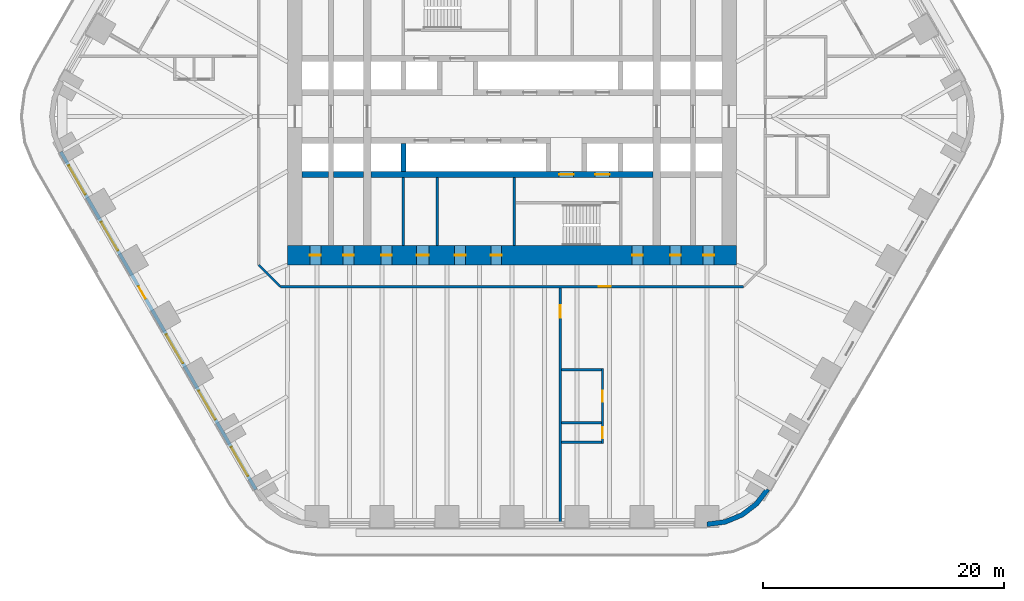
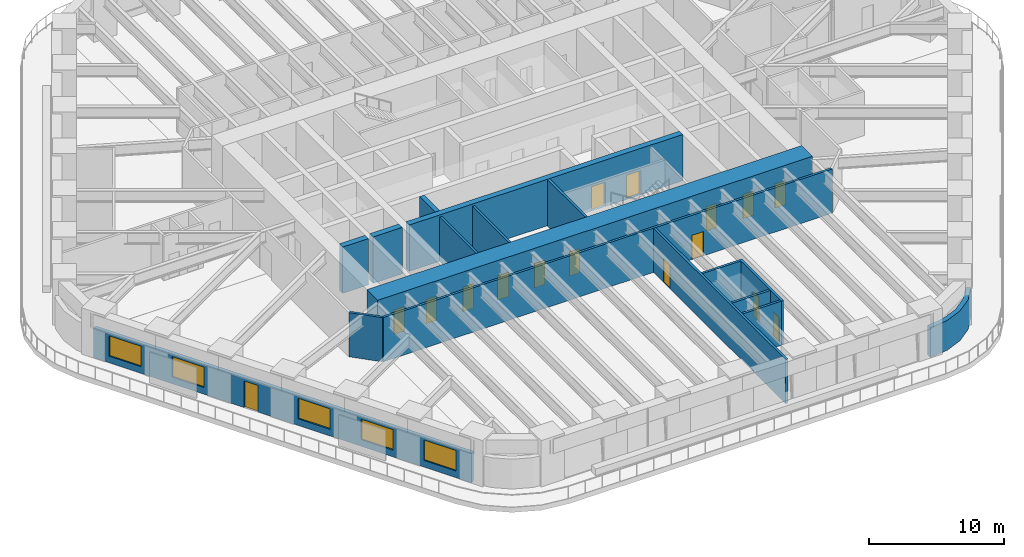
# One storey, part 16 of 23: 17 walls, 16 doors, 5 windows, 21 openings.
"""IFC4 building model written with IfcOpenShell, lengths in metres."""

import ifcopenshell
import ifcopenshell.guid

model = None  # the IFC model being written
_history = None  # IfcOwnerHistory: only IFC2X3 demands one
_inside = {}  # id of a spatial element -> (the spatial element, [elements in it])
_under = {}  # id of a project, library or spatial element -> (it, [spatial elements below it])
_declared = {}  # id of a project -> (the project, [libraries it declares])
_typed = {}  # id of a type object -> (the type object, [elements of that type])
_made_of = {}  # id of a material, layer set ... -> (it, [elements and type objects made of it])


def new_model(schema):
    """Start an empty IFC model of exactly this schema.

    Asked for "IFC4X3", IfcOpenShell would pick the latest addendum, in which some entities
    have other attributes; the version numbers below select the first issue.
    IFC2X3 requires an IfcOwnerHistory on every rooted entity: one is made here for all.
    """
    global model, _history
    if schema == "IFC4X3":
        model = ifcopenshell.file(schema_version=(4, 3, 0, 0))
    else:
        model = ifcopenshell.file(schema=schema)
    _inside.clear()
    _under.clear()
    _declared.clear()
    _typed.clear()
    _made_of.clear()
    _history = None
    if model.schema == "IFC2X3":
        org = make("IfcOrganization", Name="unknown")
        user = make(
            "IfcPersonAndOrganization",
            ThePerson=make("IfcPerson", FamilyName="unknown"),
            TheOrganization=org,
        )
        app = make(
            "IfcApplication",
            ApplicationDeveloper=org,
            Version="unknown",
            ApplicationFullName="unknown",
            ApplicationIdentifier="unknown",
        )
        _history = make(
            "IfcOwnerHistory",
            OwningUser=user,
            OwningApplication=app,
            ChangeAction="ADDED",
            CreationDate=0,
        )
    return model


def make(cls, **values):
    """One entity of the class cls with the attributes given. An attribute that is None is left unset."""
    return model.create_entity(
        cls, **{name: value for name, value in values.items() if value is not None}
    )


def rooted(cls, **values):
    """An entity with a GlobalId (a new one), such as an element, a storey or a relation."""
    return make(cls, GlobalId=ifcopenshell.guid.new(), OwnerHistory=_history, **values)


def si_unit(unit_type, name, prefix=None):
    """IfcSIUnit, for example si_unit("LENGTHUNIT", "METRE", prefix="MILLI")."""
    return make("IfcSIUnit", UnitType=unit_type, Prefix=prefix, Name=name)


def assignment(units):
    """IfcUnitAssignment: the units of a project."""
    return None if units is None else make("IfcUnitAssignment", Units=units)


def point(xyz):
    """IfcCartesianPoint."""
    return None if xyz is None else make("IfcCartesianPoint", Coordinates=xyz)


def direction(xyz):
    """IfcDirection."""
    return None if xyz is None else make("IfcDirection", DirectionRatios=xyz)


def frame(location, z_axis=None, x_axis=None):
    """IfcAxis2Placement3D, a coordinate frame: its origin and axes. An axis left out is left unset."""
    return make(
        "IfcAxis2Placement3D",
        Location=point(location),
        Axis=direction(z_axis),
        RefDirection=direction(x_axis),
    )


def frame_2d(location, x_axis=None):
    """IfcAxis2Placement2D, a coordinate frame in the plane: its origin and x axis."""
    return make(
        "IfcAxis2Placement2D", Location=point(location), RefDirection=direction(x_axis)
    )


def origin():
    """The frame at (0, 0, 0) with its axes left unset."""
    return frame((0.0, 0.0, 0.0))


def place(relative_to, where):
    """IfcLocalPlacement: puts the frame where relative to a parent placement (None: the world)."""
    return make(
        "IfcLocalPlacement", PlacementRelTo=relative_to, RelativePlacement=where
    )


def context(
    kind, dimensions, precision=None, world=None, true_north=None, identifier=None
):
    """IfcGeometricRepresentationContext, for example the 3D "Model" context."""
    return make(
        "IfcGeometricRepresentationContext",
        ContextIdentifier=identifier,
        ContextType=kind,
        CoordinateSpaceDimension=dimensions,
        Precision=precision,
        WorldCoordinateSystem=world,
        TrueNorth=true_north,
    )


def subcontext(parent, identifier, kind, view, scale=None):
    """IfcGeometricRepresentationSubContext, for example "Body" below "Model"."""
    return make(
        "IfcGeometricRepresentationSubContext",
        ContextIdentifier=identifier,
        ContextType=kind,
        ParentContext=parent,
        TargetScale=scale,
        TargetView=view,
    )


def project(units=None, contexts=None):
    """IfcProject with its units and contexts."""
    return rooted(
        "IfcProject",
        Name="project",
        RepresentationContexts=contexts,
        UnitsInContext=assignment(units),
    )


def spatial(cls, under=None, at=None, **own):
    """A site, building, storey or space (cls), placed at a placement, below another one or the project."""
    s = rooted(cls, ObjectPlacement=at, **own)
    if under is not None:
        _under.setdefault(under.id(), (under, []))[1].append(s)
    return s


def polyline(points):
    """IfcPolyline through the points."""
    return make("IfcPolyline", Points=[point(p) for p in points])


def profile(cls, at=None, kind="AREA", **sizes):
    """A parametric profile (cls). Its sizes go by their IFC names, for example OverallWidth=200.0."""
    return make(cls, ProfileType=kind, Position=at, **sizes)


def rectangle(**sizes):
    """IfcRectangleProfileDef."""
    return profile("IfcRectangleProfileDef", **sizes)


def outline(outer, holes=None, kind="AREA"):
    """IfcArbitraryClosedProfileDef: a profile drawn as a closed curve; with holes, ...WithVoids."""
    if holes is None:
        return make("IfcArbitraryClosedProfileDef", ProfileType=kind, OuterCurve=outer)
    return make(
        "IfcArbitraryProfileDefWithVoids",
        ProfileType=kind,
        OuterCurve=outer,
        InnerCurves=holes,
    )


def extrude(swept, where, along, depth):
    """IfcExtrudedAreaSolid: the profile swept, set in the frame where, extruded along a direction by depth."""
    return make(
        "IfcExtrudedAreaSolid",
        SweptArea=swept,
        Position=where,
        ExtrudedDirection=direction(along),
        Depth=depth,
    )


def shape(context_of_items, identifier, shape_type, items):
    """IfcShapeRepresentation: the items that make up one representation, for example the "Body"."""
    return make(
        "IfcShapeRepresentation",
        ContextOfItems=context_of_items,
        RepresentationIdentifier=identifier,
        RepresentationType=shape_type,
        Items=items,
    )


def material(Name=None, Category=None):
    """IfcMaterial."""
    return make("IfcMaterial", Name=Name, Category=Category)


def layer(
    of_material, thickness, ventilated=None, Name=None, Category=None, Priority=None
):
    """IfcMaterialLayer: one layer of a wall or slab, of a material (None: an air gap)."""
    return make(
        "IfcMaterialLayer",
        Material=of_material,
        LayerThickness=thickness,
        IsVentilated=ventilated,
        Name=Name,
        Category=Category,
        Priority=Priority,
    )


def layer_set(layers, Name=None):
    """IfcMaterialLayerSet."""
    return make("IfcMaterialLayerSet", MaterialLayers=layers, LayerSetName=Name)


def made_of(thing, what):
    """Note that an element or type object is made of a material, layer set ...; save() writes the relation."""
    if what is not None:
        _made_of.setdefault(what.id(), (what, []))[1].append(thing)
    return thing


def type_object(cls, material=None, **own):
    """A type object (cls), such as IfcWallType, which elements share."""
    return made_of(rooted(cls, **own), material)


def element(
    cls,
    number,
    at=None,
    inside=None,
    cuts=None,
    type_object=None,
    material=None,
    context=None,
    identifier="Body",
    shape_type=None,
    held_by="IfcProductDefinitionShape",
    body=None,
    shapes=None,
    **own,
):
    """One element of the class cls, such as IfcWall. Its Tag is "e" and its number.

    at: its placement. inside: the storey or other place that contains it. cuts: it is an
    opening in that element (IfcRelVoidsElement). A single representation is given by context,
    identifier, shape_type and body (its items); several are given by shapes. held_by: the class
    of the entity that holds the representations. save() writes the other relations.
    """
    e = rooted(cls, Tag="e%d" % number, ObjectPlacement=at, **own)
    if body is not None:
        shapes = [shape(context, identifier, shape_type, body)]
    if shapes is not None:
        e.Representation = make(held_by, Representations=shapes)
    if inside is not None:
        _inside.setdefault(inside.id(), (inside, []))[1].append(e)
    if cuts is not None:
        rooted(
            "IfcRelVoidsElement", RelatingBuildingElement=cuts, RelatedOpeningElement=e
        )
    if type_object is not None:
        _typed.setdefault(type_object.id(), (type_object, []))[1].append(e)
    return made_of(e, material)


def fill(opening, filler):
    """IfcRelFillsElement: the door or window that sits in an opening."""
    return rooted(
        "IfcRelFillsElement",
        RelatingOpeningElement=opening,
        RelatedBuildingElement=filler,
    )


def aggregate(whole, parts):
    """IfcRelAggregates: a whole, such as a stair, and the parts it consists of."""
    return rooted("IfcRelAggregates", RelatingObject=whole, RelatedObjects=parts)


def save(model, path):
    """Write the relations noted so far, then the file.

    IfcRelAggregates (storeys below a building ...), IfcRelContainedInSpatialStructure (elements
    in a storey), IfcRelDefinesByType, IfcRelAssociatesMaterial and IfcRelDeclares: one each for
    every whole, place, type object, material and project.
    """
    for whole, parts in _under.values():
        aggregate(whole, parts)
    for where, things in _inside.values():
        rooted(
            "IfcRelContainedInSpatialStructure",
            RelatedElements=things,
            RelatingStructure=where,
        )
    for kind, things in _typed.values():
        rooted("IfcRelDefinesByType", RelatedObjects=things, RelatingType=kind)
    for what, things in _made_of.values():
        rooted("IfcRelAssociatesMaterial", RelatedObjects=things, RelatingMaterial=what)
    for by, libraries in _declared.values():
        rooted("IfcRelDeclares", RelatingContext=by, RelatedDefinitions=libraries)
    model.write(path)


model = new_model("IFC4")

# Units and contexts
model_context = context("Model", 3, precision=1e-05, world=origin(), true_north=direction((0.0, 1.0)))
body_context = subcontext(model_context, "Body", "Model", "MODEL_VIEW")
ifc_project = project(units=[si_unit("LENGTHUNIT", "METRE"), si_unit("AREAUNIT", "SQUARE_METRE"), si_unit("VOLUMEUNIT", "CUBIC_METRE"), si_unit("PLANEANGLEUNIT", "RADIAN"), si_unit("MASSUNIT", "GRAM", prefix="KILO")], contexts=[model_context])

# Site, building, storey
site_placement = place(None, origin())
site = spatial("IfcSite", under=ifc_project, at=site_placement, CompositionType="ELEMENT")
building_placement = place(site_placement, origin())
building = spatial("IfcBuilding", under=site, at=building_placement, Name="Tarfa Lantern Tower", CompositionType="ELEMENT")
storey_placement = place(building_placement, frame((0.0, 0.0, 48.699951171875)))
storey = spatial("IfcBuildingStorey", under=building, at=storey_placement, Name="L10", CompositionType="ELEMENT", Elevation=48.699951171875)

# Wall, openings, door, windows
ifc_material_1 = material(Name="Limestone cladding on blockwork", Category="masonry")
ifc_layer_1 = layer(ifc_material_1, 0.300048828125)
ifc_layer_set_1 = layer_set([ifc_layer_1], Name="EW1 STONE-CLAD WALL 300")
wall_type_1 = type_object("IfcWallType", Name="EW1 STONE-CLAD WALL 300", PredefinedType="SOLIDWALL", material=ifc_layer_set_1)
wall_1_placement = place(storey_placement, frame((-37.39794921875, -2.925048828125, 0.0), z_axis=(0.0, 0.0, 1.0), x_axis=(0.499999163675, -0.866025886636, 0.0)))
wall_1 = element("IfcWall", 1, at=wall_1_placement, inside=storey, type_object=wall_type_1, Name="Stone wall SW", PredefinedType="SOLIDWALL", context=body_context, shape_type="SweptSolid", body=[
    extrude(rectangle(XDim=32.33154296875, YDim=0.300048828125, at=frame_2d((16.165771484375, 0.0))), origin(), (0.0, 0.0, 1.0), 2.699951171875),
])
opening_1_placement = place(wall_1_placement, frame((1.3193359375, 0.0, 0.60009765625)))
opening_1 = element("IfcOpeningElement", 2, at=opening_1_placement, cuts=wall_1, Name="Opening W2", PredefinedType="OPENING", context=body_context, shape_type="SweptSolid", body=[
    extrude(rectangle(XDim=2.75, YDim=1.85009765625, at=frame_2d((1.375, 0.925048828125))), frame((0.0, 0.159912109375, 0.0), z_axis=(0.0, -1.0, 0.0), x_axis=(1.0, 0.0, 0.0)), (0.0, 0.0, 1.0), 0.320068359375),
])
opening_2_placement = place(wall_1_placement, frame((6.7080078125, 0.0, 0.60009765625)))
opening_2 = element("IfcOpeningElement", 3, at=opening_2_placement, cuts=wall_1, Name="Opening W2", PredefinedType="OPENING", context=body_context, shape_type="SweptSolid", body=[
    extrude(rectangle(XDim=2.75, YDim=1.85009765625, at=frame_2d((1.375, 0.925048828125))), frame((0.0, 0.159912109375, 0.0), z_axis=(0.0, -1.0, 0.0), x_axis=(1.0, 0.0, 0.0)), (0.0, 0.0, 1.0), 0.320068359375),
])
opening_3_placement = place(wall_1_placement, frame((12.87158203125, 0.0, 0.0)))
opening_3 = element("IfcOpeningElement", 4, at=opening_3_placement, cuts=wall_1, Name="Opening D51", PredefinedType="OPENING", context=body_context, shape_type="SweptSolid", body=[
    extrude(rectangle(XDim=1.199951171875, YDim=2.39990234375, at=frame_2d((0.60009765625, 1.199951171875))), frame((0.0, 0.159912109375, 0.0), z_axis=(0.0, -1.0, 0.0), x_axis=(1.0, 0.0, 0.0)), (0.0, 0.0, 1.0), 0.320068359375),
])
opening_4_placement = place(wall_1_placement, frame((17.485107421875, 0.0, 0.60009765625)))
opening_4 = element("IfcOpeningElement", 5, at=opening_4_placement, cuts=wall_1, Name="Opening W2", PredefinedType="OPENING", context=body_context, shape_type="SweptSolid", body=[
    extrude(rectangle(XDim=2.75, YDim=1.85009765625, at=frame_2d((1.375, 0.925048828125))), frame((0.0, 0.159912109375, 0.0), z_axis=(0.0, -1.0, 0.0), x_axis=(1.0, 0.0, 0.0)), (0.0, 0.0, 1.0), 0.320068359375),
])
opening_5_placement = place(wall_1_placement, frame((22.873779296875, 0.0, 0.60009765625)))
opening_5 = element("IfcOpeningElement", 6, at=opening_5_placement, cuts=wall_1, Name="Opening W2", PredefinedType="OPENING", context=body_context, shape_type="SweptSolid", body=[
    extrude(rectangle(XDim=2.75, YDim=1.85009765625, at=frame_2d((1.375, 0.925048828125))), frame((0.0, 0.159912109375, 0.0), z_axis=(0.0, -1.0, 0.0), x_axis=(1.0, 0.0, 0.0)), (0.0, 0.0, 1.0), 0.320068359375),
])
opening_6_placement = place(wall_1_placement, frame((28.26220703125, 0.0, 0.60009765625)))
opening_6 = element("IfcOpeningElement", 7, at=opening_6_placement, cuts=wall_1, Name="Opening W2", PredefinedType="OPENING", context=body_context, shape_type="SweptSolid", body=[
    extrude(rectangle(XDim=2.75, YDim=1.85009765625, at=frame_2d((1.375, 0.925048828125))), frame((0.0, 0.159912109375, 0.0), z_axis=(0.0, -1.0, 0.0), x_axis=(1.0, 0.0, 0.0)), (0.0, 0.0, 1.0), 0.320068359375),
])
ifc_material_2 = material(Name="Aluminium framed glazed door", Category="aluminium")
door_type_1 = type_object("IfcDoorType", Name="BE3 BALCONY DOOR 1200x2400", OperationType="SINGLE_SWING_RIGHT", PredefinedType="DOOR", material=ifc_material_2)
door_1_placement = place(opening_3_placement, origin())
door_1 = element("IfcDoor", 8, at=door_1_placement, inside=storey, type_object=door_type_1, Name="Balcony door SW", OperationType="SINGLE_SWING_RIGHT", OverallHeight=2.39990234375, OverallWidth=1.199951171875, PredefinedType="DOOR", context=body_context, shape_type="SweptSolid", body=[
    extrude(rectangle(XDim=1.199951171875, YDim=2.39990234375, at=frame_2d((0.60009765625, 1.199951171875))), frame((0.0, 0.02490234375, 0.0), z_axis=(0.0, -1.0, 0.0), x_axis=(1.0, 0.0, 0.0)), (0.0, 0.0, 1.0), 0.050048828125),
])
fill(opening_3, door_1)
ifc_material_3 = material(Name="Aluminium frame, double glazed", Category="aluminium")
window_type = type_object("IfcWindowType", Name="W2 FULL-HEIGHT GLAZING 2750x1850", PartitioningType="SINGLE_PANEL", PredefinedType="WINDOW", material=ifc_material_3)
window_1_placement = place(opening_1_placement, origin())
window_1 = element("IfcWindow", 9, at=window_1_placement, inside=storey, type_object=window_type, Name="Window SW 1", OverallHeight=1.85009765625, OverallWidth=2.75, PartitioningType="SINGLE_PANEL", PredefinedType="WINDOW", context=body_context, shape_type="SweptSolid", body=[
    extrude(rectangle(XDim=2.75, YDim=1.85009765625, at=frame_2d((1.375, 0.925048828125))), frame((0.0, 0.030029296875, 0.0), z_axis=(0.0, -1.0, 0.0), x_axis=(1.0, 0.0, 0.0)), (0.0, 0.0, 1.0), 0.06005859375),
])
fill(opening_1, window_1)
window_2_placement = place(opening_2_placement, origin())
window_2 = element("IfcWindow", 10, at=window_2_placement, inside=storey, type_object=window_type, Name="Window SW 2", OverallHeight=1.85009765625, OverallWidth=2.75, PartitioningType="SINGLE_PANEL", PredefinedType="WINDOW", context=body_context, shape_type="SweptSolid", body=[
    extrude(rectangle(XDim=2.75, YDim=1.85009765625, at=frame_2d((1.375, 0.925048828125))), frame((0.0, 0.030029296875, 0.0), z_axis=(0.0, -1.0, 0.0), x_axis=(1.0, 0.0, 0.0)), (0.0, 0.0, 1.0), 0.06005859375),
])
fill(opening_2, window_2)
window_3_placement = place(opening_4_placement, origin())
window_3 = element("IfcWindow", 11, at=window_3_placement, inside=storey, type_object=window_type, Name="Window SW 4", OverallHeight=1.85009765625, OverallWidth=2.75, PartitioningType="SINGLE_PANEL", PredefinedType="WINDOW", context=body_context, shape_type="SweptSolid", body=[
    extrude(rectangle(XDim=2.75, YDim=1.85009765625, at=frame_2d((1.375, 0.925048828125))), frame((0.0, 0.030029296875, 0.0), z_axis=(0.0, -1.0, 0.0), x_axis=(1.0, 0.0, 0.0)), (0.0, 0.0, 1.0), 0.06005859375),
])
fill(opening_4, window_3)
window_4_placement = place(opening_5_placement, origin())
window_4 = element("IfcWindow", 12, at=window_4_placement, inside=storey, type_object=window_type, Name="Window SW 5", OverallHeight=1.85009765625, OverallWidth=2.75, PartitioningType="SINGLE_PANEL", PredefinedType="WINDOW", context=body_context, shape_type="SweptSolid", body=[
    extrude(rectangle(XDim=2.75, YDim=1.85009765625, at=frame_2d((1.375, 0.925048828125))), frame((0.0, 0.030029296875, 0.0), z_axis=(0.0, -1.0, 0.0), x_axis=(1.0, 0.0, 0.0)), (0.0, 0.0, 1.0), 0.06005859375),
])
fill(opening_5, window_4)
window_5_placement = place(opening_6_placement, origin())
window_5 = element("IfcWindow", 13, at=window_5_placement, inside=storey, type_object=window_type, Name="Window SW 6", OverallHeight=1.85009765625, OverallWidth=2.75, PartitioningType="SINGLE_PANEL", PredefinedType="WINDOW", context=body_context, shape_type="SweptSolid", body=[
    extrude(rectangle(XDim=2.75, YDim=1.85009765625, at=frame_2d((1.375, 0.925048828125))), frame((0.0, 0.030029296875, 0.0), z_axis=(0.0, -1.0, 0.0), x_axis=(1.0, 0.0, 0.0)), (0.0, 0.0, 1.0), 0.06005859375),
])
fill(opening_6, window_5)

# Walls
ifc_layer_2 = layer(ifc_material_1, 0.39990234375)
ifc_layer_set_2 = layer_set([ifc_layer_2], Name="EW2 CURVED STONE CORNER 400")
wall_type_2 = type_object("IfcWallType", Name="EW2 CURVED STONE CORNER 400", PredefinedType="SOLIDWALL", material=ifc_layer_set_2)
wall_2_placement = place(storey_placement, origin())
element("IfcWall", 14, at=wall_2_placement, inside=storey, type_object=wall_type_2, Name="Stone corner S-SE", PredefinedType="SOLIDWALL", context=body_context, shape_type="SweptSolid", body=[
    extrude(outline(polyline([(16.165771484375, -34.0), (17.71875, -33.795654296875), (19.165771484375, -33.196044921875), (20.408447265625, -32.24267578125), (21.362060546875, -31.0), (21.015625, -30.800048828125), (20.12548828125, -31.959716796875), (18.9658203125, -32.849853515625), (17.615234375, -33.4091796875), (16.165771484375, -33.60009765625), (16.165771484375, -34.0)])), origin(), (0.0, 0.0, 1.0), 2.699951171875),
])
ifc_material_4 = material(Name="Concrete blockwork", Category="masonry")
ifc_layer_3 = layer(ifc_material_4, 0.199951171875)
ifc_layer_set_3 = layer_set([ifc_layer_3], Name="IW1 BLOCKWORK PARTITION 200 EI 120")
wall_type_3 = type_object("IfcWallType", Name="IW1 BLOCKWORK PARTITION 200 EI 120", PredefinedType="PARTITIONING", material=ifc_layer_set_3)
for number, where, z_axis, x_axis, name in (
    (15, (-9.0, -5.050048828125, 0.0), (0.0, 0.0, 1.0), (0.0, -1.0, 0.0), "Core partition"),
    (16, (-6.199951171875, -5.050048828125, 0.0), (0.0, 0.0, 1.0), (0.0, -1.0, 0.0), "Core partition"),
):
    element("IfcWall", number, at=place(storey_placement, frame(where, z_axis=z_axis, x_axis=x_axis)), inside=storey, type_object=wall_type_3, Name=name, PredefinedType="PARTITIONING", context=body_context, shape_type="SweptSolid", body=[
        extrude(rectangle(XDim=5.64990234375, YDim=0.199951171875, at=frame_2d((2.824951171875, 0.0))), origin(), (0.0, 0.0, 1.0), 4.0),
    ])

# Wall, opening, door
ifc_material_5 = material(Name="Gypsum board on steel studs", Category="steel")
ifc_layer_4 = layer(ifc_material_5, 0.2099609375)
ifc_layer_set_4 = layer_set([ifc_layer_4], Name="IW2 ACOUSTIC PARTITION 200")
wall_type_4 = type_object("IfcWallType", Name="IW2 ACOUSTIC PARTITION 200", PredefinedType="PARTITIONING", material=ifc_layer_set_4)
wall_3_placement = place(storey_placement, frame((19.199951171875, -14.10009765625, 0.0), z_axis=(0.0, 0.0, 1.0), x_axis=(-1.0, 0.0, 0.0)))
wall_3 = element("IfcWall", 17, at=wall_3_placement, inside=storey, type_object=wall_type_4, Name="Partition", PredefinedType="PARTITIONING", context=body_context, shape_type="SweptSolid", body=[
    extrude(rectangle(XDim=38.39990234375, YDim=0.199951171875, at=frame_2d((19.199951171875, 0.0))), origin(), (0.0, 0.0, 1.0), 4.0),
])
opening_7_placement = place(wall_3_placement, frame((11.02001953125, 0.0, 0.0)))
opening_7 = element("IfcOpeningElement", 18, at=opening_7_placement, cuts=wall_3, Name="Opening D44", PredefinedType="OPENING", context=body_context, shape_type="SweptSolid", body=[
    extrude(rectangle(XDim=1.0, YDim=2.199951171875, at=frame_2d((0.5, 1.10009765625))), frame((0.0, 0.10986328125, 0.0), z_axis=(0.0, -1.0, 0.0), x_axis=(1.0, 0.0, 0.0)), (0.0, 0.0, 1.0), 0.219970703125),
])
ifc_material_6 = material(Name="Timber door", Category="wood")
door_type_2 = type_object("IfcDoorType", Name="DR1 ROOM DOOR 1000x2200", OperationType="SINGLE_SWING_LEFT", PredefinedType="DOOR", material=ifc_material_6)
door_2_placement = place(opening_7_placement, origin())
door_2 = element("IfcDoor", 19, at=door_2_placement, inside=storey, type_object=door_type_2, Name="Corridor door", OperationType="SINGLE_SWING_LEFT", OverallHeight=2.199951171875, OverallWidth=1.0, PredefinedType="DOOR", context=body_context, shape_type="SweptSolid", body=[
    extrude(rectangle(XDim=1.0, YDim=2.199951171875, at=frame_2d((0.5, 1.10009765625))), frame((0.0, 0.02490234375, 0.0), z_axis=(0.0, -1.0, 0.0), x_axis=(1.0, 0.0, 0.0)), (0.0, 0.0, 1.0), 0.050048828125),
])
fill(opening_7, door_2)

# Wall
wall_4_placement = place(storey_placement, frame((-19.199951171875, -14.10009765625, 0.0), z_axis=(0.0, 0.0, 1.0), x_axis=(-0.707106781187, 0.707106781187, 0.0)))
element("IfcWall", 20, at=wall_4_placement, inside=storey, type_object=wall_type_4, Name="Partition", PredefinedType="PARTITIONING", context=body_context, shape_type="SweptSolid", body=[
    extrude(rectangle(XDim=2.545654296875, YDim=0.199951171875, at=frame_2d((1.27294921875, 0.0))), origin(), (0.0, 0.0, 1.0), 4.0),
])

# Wall, opening, door
wall_5_placement = place(storey_placement, frame((4.0, -14.199951171875, 0.0), z_axis=(0.0, 0.0, 1.0), x_axis=(0.0, -1.0, 0.0)))
wall_5 = element("IfcWall", 21, at=wall_5_placement, inside=storey, type_object=wall_type_4, Name="Partition", PredefinedType="PARTITIONING", context=body_context, shape_type="SweptSolid", body=[
    extrude(rectangle(XDim=19.60009765625, YDim=0.199951171875, at=frame_2d((9.800048828125, 0.0))), origin(), (0.0, 0.0, 1.0), 4.0),
])
opening_8_placement = place(wall_5_placement, frame((1.4599609375, 0.0, 0.0)))
opening_8 = element("IfcOpeningElement", 22, at=opening_8_placement, cuts=wall_5, Name="Opening D47", PredefinedType="OPENING", context=body_context, shape_type="SweptSolid", body=[
    extrude(rectangle(XDim=1.0, YDim=2.199951171875, at=frame_2d((0.5, 1.10009765625))), frame((0.0, 0.10986328125, 0.0), z_axis=(0.0, -1.0, 0.0), x_axis=(1.0, 0.0, 0.0)), (0.0, 0.0, 1.0), 0.219970703125),
])
door_3_placement = place(opening_8_placement, origin())
door_3 = element("IfcDoor", 23, at=door_3_placement, inside=storey, type_object=door_type_2, Name="Zone door", OperationType="SINGLE_SWING_RIGHT", OverallHeight=2.199951171875, OverallWidth=1.0, PredefinedType="DOOR", context=body_context, shape_type="SweptSolid", body=[
    extrude(rectangle(XDim=1.0, YDim=2.199951171875, at=frame_2d((0.5, 1.10009765625))), frame((0.0, 0.02490234375, 0.0), z_axis=(0.0, -1.0, 0.0), x_axis=(1.0, 0.0, 0.0)), (0.0, 0.0, 1.0), 0.050048828125),
])
fill(opening_8, door_3)

# Wall, openings, doors
wall_6_placement = place(storey_placement, frame((7.5, -20.89990234375, 0.0), z_axis=(0.0, 0.0, 1.0), x_axis=(0.0, -1.0, 0.0)))
wall_6 = element("IfcWall", 24, at=wall_6_placement, inside=storey, type_object=wall_type_4, Name="Partition", PredefinedType="PARTITIONING", context=body_context, shape_type="SweptSolid", body=[
    extrude(rectangle(XDim=6.2001953125, YDim=0.199951171875, at=frame_2d((3.10009765625, 0.0))), origin(), (0.0, 0.0, 1.0), 4.0),
])
opening_9_placement = place(wall_6_placement, frame((1.85009765625, 0.0, 0.0)))
opening_9 = element("IfcOpeningElement", 25, at=opening_9_placement, cuts=wall_6, Name="Opening D39", PredefinedType="OPENING", context=body_context, shape_type="SweptSolid", body=[
    extrude(rectangle(XDim=0.89990234375, YDim=2.199951171875, at=frame_2d((0.449951171875, 1.10009765625))), frame((0.0, 0.10986328125, 0.0), z_axis=(0.0, -1.0, 0.0), x_axis=(1.0, 0.0, 0.0)), (0.0, 0.0, 1.0), 0.219970703125),
])
opening_10_placement = place(wall_6_placement, frame((4.85009765625, 0.0, 0.0)))
opening_10 = element("IfcOpeningElement", 26, at=opening_10_placement, cuts=wall_6, Name="Opening D40", PredefinedType="OPENING", context=body_context, shape_type="SweptSolid", body=[
    extrude(rectangle(XDim=0.89990234375, YDim=2.199951171875, at=frame_2d((0.449951171875, 1.10009765625))), frame((0.0, 0.10986328125, 0.0), z_axis=(0.0, -1.0, 0.0), x_axis=(1.0, 0.0, 0.0)), (0.0, 0.0, 1.0), 0.219970703125),
])
door_type_3 = type_object("IfcDoorType", Name="DR3 ROOM DOOR 900x2200", OperationType="SINGLE_SWING_LEFT", PredefinedType="DOOR", material=ifc_material_6)
door_4_placement = place(opening_9_placement, frame((0.89990234375, 0.0, 0.0), z_axis=(0.0, 0.0, 1.0), x_axis=(-1.0, 0.0, 0.0)))
door_4 = element("IfcDoor", 27, at=door_4_placement, inside=storey, type_object=door_type_3, Name="Meeting room door", OperationType="SINGLE_SWING_LEFT", OverallHeight=2.199951171875, OverallWidth=0.89990234375, PredefinedType="DOOR", context=body_context, shape_type="SweptSolid", body=[
    extrude(rectangle(XDim=0.89990234375, YDim=2.199951171875, at=frame_2d((0.449951171875, 1.10009765625))), frame((0.0, 0.02490234375, 0.0), z_axis=(0.0, -1.0, 0.0), x_axis=(1.0, 0.0, 0.0)), (0.0, 0.0, 1.0), 0.050048828125),
])
fill(opening_9, door_4)
door_5_placement = place(opening_10_placement, frame((0.89990234375, 0.0, 0.0), z_axis=(0.0, 0.0, 1.0), x_axis=(-1.0, 0.0, 0.0)))
door_5 = element("IfcDoor", 28, at=door_5_placement, inside=storey, type_object=door_type_3, Name="Phone booth door", OperationType="SINGLE_SWING_RIGHT", OverallHeight=2.199951171875, OverallWidth=0.89990234375, PredefinedType="DOOR", context=body_context, shape_type="SweptSolid", body=[
    extrude(rectangle(XDim=0.89990234375, YDim=2.199951171875, at=frame_2d((0.449951171875, 1.10009765625))), frame((0.0, 0.02490234375, 0.0), z_axis=(0.0, -1.0, 0.0), x_axis=(1.0, 0.0, 0.0)), (0.0, 0.0, 1.0), 0.050048828125),
])
fill(opening_10, door_5)

# Walls
for number, where, z_axis, x_axis, name in (
    (29, (4.10009765625, -21.0, 0.0), (0.0, 0.0, 1.0), (1.0, 0.0, 0.0), "Partition"),
    (30, (4.10009765625, -25.39990234375, 0.0), (0.0, 0.0, 1.0), (1.0, 0.0, 0.0), "Partition"),
    (31, (4.10009765625, -27.0, 0.0), (0.0, 0.0, 1.0), (1.0, 0.0, 0.0), "Partition"),
):
    element("IfcWall", number, at=place(storey_placement, frame(where, z_axis=z_axis, x_axis=x_axis)), inside=storey, type_object=wall_type_4, Name=name, PredefinedType="PARTITIONING", context=body_context, shape_type="SweptSolid", body=[
        extrude(rectangle(XDim=3.2998046875, YDim=0.199951171875, at=frame_2d((1.64990234375, 0.0))), origin(), (0.0, 0.0, 1.0), 4.0),
    ])
ifc_material_7 = material(Name="Concrete C80/95", Category="concrete")
ifc_layer_5 = layer(ifc_material_7, 0.199951171875)
ifc_layer_set_5 = layer_set([ifc_layer_5], Name="SW12 CORE WALL 200")
wall_type_5 = type_object("IfcWallType", Name="SW12 CORE WALL 200", PredefinedType="SHEAR", material=ifc_layer_set_5)
wall_7_placement = place(storey_placement, frame((0.199951171875, -5.050048828125, 0.0), z_axis=(0.0, 0.0, 1.0), x_axis=(0.0, -1.0, 0.0)))
element("IfcWall", 32, at=wall_7_placement, inside=storey, type_object=wall_type_5, Name="Core wall stair shaft S", PredefinedType="SHEAR", context=body_context, shape_type="SweptSolid", body=[
    extrude(rectangle(XDim=5.64990234375, YDim=0.199951171875, at=frame_2d((2.824951171875, 0.0))), origin(), (0.0, 0.0, 1.0), 4.199951171875),
])

# Wall, openings, doors
ifc_layer_6 = layer(ifc_material_7, 0.5)
ifc_layer_set_6 = layer_set([ifc_layer_6], Name="SW5 CORE WALL 500")
wall_type_6 = type_object("IfcWallType", Name="SW5 CORE WALL 500", PredefinedType="SHEAR", material=ifc_layer_set_6)
wall_8_placement = place(storey_placement, frame((11.699951171875, -4.800048828125, 0.0), z_axis=(0.0, 0.0, 1.0), x_axis=(-1.0, 0.0, 0.0)))
wall_8 = element("IfcWall", 33, at=wall_8_placement, inside=storey, type_object=wall_type_6, Name="Core wall rear S", PredefinedType="SHEAR", context=body_context, shape_type="SweptSolid", body=[
    extrude(rectangle(XDim=23.39990234375, YDim=0.5, at=frame_2d((11.699951171875, 0.0))), origin(), (0.0, 0.0, 1.0), 4.199951171875),
])
opening_11_placement = place(wall_8_placement, frame((6.60009765625, 0.0, 0.0)))
opening_11 = element("IfcOpeningElement", 34, at=opening_11_placement, cuts=wall_8, Name="Opening D14", PredefinedType="OPENING", context=body_context, shape_type="SweptSolid", body=[
    extrude(rectangle(XDim=1.199951171875, YDim=2.199951171875, at=frame_2d((0.60009765625, 1.10009765625))), frame((0.0, 0.260009765625, 0.0), z_axis=(0.0, -1.0, 0.0), x_axis=(1.0, 0.0, 0.0)), (0.0, 0.0, 1.0), 0.52001953125),
])
opening_12_placement = place(wall_8_placement, frame((3.60009765625, 0.0, 0.0)))
opening_12 = element("IfcOpeningElement", 35, at=opening_12_placement, cuts=wall_8, Name="Opening LD02", PredefinedType="OPENING", context=body_context, shape_type="SweptSolid", body=[
    extrude(rectangle(XDim=1.199951171875, YDim=2.199951171875, at=frame_2d((0.60009765625, 1.10009765625))), frame((0.0, 0.260009765625, 0.0), z_axis=(0.0, -1.0, 0.0), x_axis=(1.0, 0.0, 0.0)), (0.0, 0.0, 1.0), 0.52001953125),
])
ifc_material_8 = material(Name="Steel fire door", Category="steel")
door_type_4 = type_object("IfcDoorType", Name="DF1 FIREFIGHTING LOBBY DOOR 1200x2200", OperationType="SINGLE_SWING_LEFT", PredefinedType="DOOR", material=ifc_material_8)
door_6_placement = place(opening_11_placement, origin())
door_6 = element("IfcDoor", 36, at=door_6_placement, inside=storey, type_object=door_type_4, Name="Firefighting lobby door", OperationType="SINGLE_SWING_LEFT", OverallHeight=2.199951171875, OverallWidth=1.199951171875, PredefinedType="DOOR", context=body_context, shape_type="SweptSolid", body=[
    extrude(rectangle(XDim=1.199951171875, YDim=2.199951171875, at=frame_2d((0.60009765625, 1.10009765625))), frame((0.0, 0.02490234375, 0.0), z_axis=(0.0, -1.0, 0.0), x_axis=(1.0, 0.0, 0.0)), (0.0, 0.0, 1.0), 0.050048828125),
])
fill(opening_11, door_6)
ifc_material_9 = material(Name="Stainless steel lift door", Category="steel")
door_type_5 = type_object("IfcDoorType", Name="LD1 LIFT LANDING DOOR 1200x2200", OperationType="SLIDING_TO_LEFT", PredefinedType="DOOR", material=ifc_material_9)
door_7_placement = place(opening_12_placement, origin())
door_7 = element("IfcDoor", 37, at=door_7_placement, inside=storey, type_object=door_type_5, Name="Landing door FL2", OperationType="SLIDING_TO_LEFT", OverallHeight=2.199951171875, OverallWidth=1.199951171875, PredefinedType="DOOR", context=body_context, shape_type="SweptSolid", body=[
    extrude(rectangle(XDim=1.199951171875, YDim=2.199951171875, at=frame_2d((0.60009765625, 1.10009765625))), frame((0.0, 0.02490234375, 0.0), z_axis=(0.0, -1.0, 0.0), x_axis=(1.0, 0.0, 0.0)), (0.0, 0.0, 1.0), 0.050048828125),
])
fill(opening_12, door_7)

# Walls
wall_9_placement = place(storey_placement, frame((-12.300048828125, -4.800048828125, 0.0), z_axis=(0.0, 0.0, 1.0), x_axis=(-1.0, 0.0, 0.0)))
element("IfcWall", 38, at=wall_9_placement, inside=storey, type_object=wall_type_6, Name="Core wall rear S", PredefinedType="SHEAR", context=body_context, shape_type="SweptSolid", body=[
    extrude(rectangle(XDim=2.5, YDim=0.5, at=frame_2d((1.25, 0.0))), origin(), (0.0, 0.0, 1.0), 4.199951171875),
])
wall_10_placement = place(storey_placement, frame((-15.199951171875, -4.800048828125, 0.0), z_axis=(0.0, 0.0, 1.0), x_axis=(-1.0, 0.0, 0.0)))
element("IfcWall", 39, at=wall_10_placement, inside=storey, type_object=wall_type_6, Name="Core wall rear S", PredefinedType="SHEAR", context=body_context, shape_type="SweptSolid", body=[
    extrude(rectangle(XDim=2.199951171875, YDim=0.5, at=frame_2d((1.10009765625, 0.0))), origin(), (0.0, 0.0, 1.0), 4.199951171875),
])
ifc_layer_7 = layer(ifc_material_7, 0.39990234375)
ifc_layer_set_7 = layer_set([ifc_layer_7], Name="SW6 CORE WALL 400")
wall_type_7 = type_object("IfcWallType", Name="SW6 CORE WALL 400", PredefinedType="SHEAR", material=ifc_layer_set_7)
wall_11_placement = place(storey_placement, frame((-9.0, -2.25, 0.0), z_axis=(0.0, 0.0, 1.0), x_axis=(0.0, -1.0, 0.0)))
element("IfcWall", 40, at=wall_11_placement, inside=storey, type_object=wall_type_7, Name="Core wall divider S", PredefinedType="SHEAR", context=body_context, shape_type="SweptSolid", body=[
    extrude(rectangle(XDim=2.300048828125, YDim=0.39990234375, at=frame_2d((1.14990234375, 0.0))), origin(), (0.0, 0.0, 1.0), 4.199951171875),
])

# Wall, openings, doors
ifc_layer_8 = layer(ifc_material_7, 1.60009765625)
ifc_layer_set_8 = layer_set([ifc_layer_8], Name="SW7 CORE WALL 1600")
wall_type_8 = type_object("IfcWallType", Name="SW7 CORE WALL 1600", PredefinedType="SHEAR", material=ifc_layer_set_8)
wall_12_placement = place(storey_placement, frame((18.60009765625, -11.5, 0.0), z_axis=(0.0, 0.0, 1.0), x_axis=(-1.0, 0.0, 0.0)))
wall_12 = element("IfcWall", 41, at=wall_12_placement, inside=storey, type_object=wall_type_8, Name="Core wall S", PredefinedType="SHEAR", context=body_context, shape_type="SweptSolid", body=[
    extrude(rectangle(XDim=37.2001953125, YDim=1.60009765625, at=frame_2d((18.60009765625, 0.0))), origin(), (0.0, 0.0, 1.0), 4.199951171875),
])
opening_13_placement = place(wall_12_placement, frame((19.449951171875, 0.0, 0.0)))
opening_13 = element("IfcOpeningElement", 42, at=opening_13_placement, cuts=wall_12, Name="Opening D18", PredefinedType="OPENING", context=body_context, shape_type="SweptSolid", body=[
    extrude(rectangle(XDim=0.89990234375, YDim=2.199951171875, at=frame_2d((0.449951171875, 1.10009765625))), frame((0.0, 0.81005859375, 0.0), z_axis=(0.0, -1.0, 0.0), x_axis=(1.0, 0.0, 0.0)), (0.0, 0.0, 1.0), 1.6201171875),
])
opening_14_placement = place(wall_12_placement, frame((22.449951171875, 0.0, 0.0)))
opening_14 = element("IfcOpeningElement", 43, at=opening_14_placement, cuts=wall_12, Name="Opening D20", PredefinedType="OPENING", context=body_context, shape_type="SweptSolid", body=[
    extrude(rectangle(XDim=0.89990234375, YDim=2.199951171875, at=frame_2d((0.449951171875, 1.10009765625))), frame((0.0, 0.81005859375, 0.0), z_axis=(0.0, -1.0, 0.0), x_axis=(1.0, 0.0, 0.0)), (0.0, 0.0, 1.0), 1.6201171875),
])
opening_15_placement = place(wall_12_placement, frame((25.5, 0.0, 0.0)))
opening_15 = element("IfcOpeningElement", 44, at=opening_15_placement, cuts=wall_12, Name="Opening D22", PredefinedType="OPENING", context=body_context, shape_type="SweptSolid", body=[
    extrude(rectangle(XDim=1.0, YDim=2.199951171875, at=frame_2d((0.5, 1.10009765625))), frame((0.0, 0.81005859375, 0.0), z_axis=(0.0, -1.0, 0.0), x_axis=(1.0, 0.0, 0.0)), (0.0, 0.0, 1.0), 1.6201171875),
])
opening_16_placement = place(wall_12_placement, frame((1.85009765625, 0.0, 0.0)))
opening_16 = element("IfcOpeningElement", 45, at=opening_16_placement, cuts=wall_12, Name="Opening D12", PredefinedType="OPENING", context=body_context, shape_type="SweptSolid", body=[
    extrude(rectangle(XDim=0.89990234375, YDim=2.199951171875, at=frame_2d((0.449951171875, 1.10009765625))), frame((0.0, 0.81005859375, 0.0), z_axis=(0.0, -1.0, 0.0), x_axis=(1.0, 0.0, 0.0)), (0.0, 0.0, 1.0), 1.6201171875),
])
opening_17_placement = place(wall_12_placement, frame((4.60009765625, 0.0, 0.0)))
opening_17 = element("IfcOpeningElement", 46, at=opening_17_placement, cuts=wall_12, Name="Opening D08", PredefinedType="OPENING", context=body_context, shape_type="SweptSolid", body=[
    extrude(rectangle(XDim=0.89990234375, YDim=2.199951171875, at=frame_2d((0.449951171875, 1.10009765625))), frame((0.0, 0.81005859375, 0.0), z_axis=(0.0, -1.0, 0.0), x_axis=(1.0, 0.0, 0.0)), (0.0, 0.0, 1.0), 1.6201171875),
])
opening_18_placement = place(wall_12_placement, frame((7.75, 0.0, 0.0)))
opening_18 = element("IfcOpeningElement", 47, at=opening_18_placement, cuts=wall_12, Name="Opening D10", PredefinedType="OPENING", context=body_context, shape_type="SweptSolid", body=[
    extrude(rectangle(XDim=0.89990234375, YDim=2.199951171875, at=frame_2d((0.449951171875, 1.10009765625))), frame((0.0, 0.81005859375, 0.0), z_axis=(0.0, -1.0, 0.0), x_axis=(1.0, 0.0, 0.0)), (0.0, 0.0, 1.0), 1.6201171875),
])
opening_19_placement = place(wall_12_placement, frame((28.550048828125, 0.0, 0.0)))
opening_19 = element("IfcOpeningElement", 48, at=opening_19_placement, cuts=wall_12, Name="Opening D06", PredefinedType="OPENING", context=body_context, shape_type="SweptSolid", body=[
    extrude(rectangle(XDim=0.89990234375, YDim=2.199951171875, at=frame_2d((0.449951171875, 1.10009765625))), frame((0.0, 0.81005859375, 0.0), z_axis=(0.0, -1.0, 0.0), x_axis=(1.0, 0.0, 0.0)), (0.0, 0.0, 1.0), 1.6201171875),
])
opening_20_placement = place(wall_12_placement, frame((31.699951171875, 0.0, 0.0)))
opening_20 = element("IfcOpeningElement", 49, at=opening_20_placement, cuts=wall_12, Name="Opening D02", PredefinedType="OPENING", context=body_context, shape_type="SweptSolid", body=[
    extrude(rectangle(XDim=0.89990234375, YDim=2.199951171875, at=frame_2d((0.449951171875, 1.10009765625))), frame((0.0, 0.81005859375, 0.0), z_axis=(0.0, -1.0, 0.0), x_axis=(1.0, 0.0, 0.0)), (0.0, 0.0, 1.0), 1.6201171875),
])
opening_21_placement = place(wall_12_placement, frame((34.449951171875, 0.0, 0.0)))
opening_21 = element("IfcOpeningElement", 50, at=opening_21_placement, cuts=wall_12, Name="Opening D04", PredefinedType="OPENING", context=body_context, shape_type="SweptSolid", body=[
    extrude(rectangle(XDim=0.89990234375, YDim=2.199951171875, at=frame_2d((0.449951171875, 1.10009765625))), frame((0.0, 0.81005859375, 0.0), z_axis=(0.0, -1.0, 0.0), x_axis=(1.0, 0.0, 0.0)), (0.0, 0.0, 1.0), 1.6201171875),
])
door_type_6 = type_object("IfcDoorType", Name="DF3 CORE ROOM DOOR 900x2200", OperationType="SINGLE_SWING_LEFT", PredefinedType="DOOR", material=ifc_material_8)
door_8_placement = place(opening_13_placement, frame((0.89990234375, 0.0, 0.0), z_axis=(0.0, 0.0, 1.0), x_axis=(-1.0, 0.0, 0.0)))
door_8 = element("IfcDoor", 51, at=door_8_placement, inside=storey, type_object=door_type_6, Name="Core door", OperationType="SINGLE_SWING_LEFT", OverallHeight=2.199951171875, OverallWidth=0.89990234375, PredefinedType="DOOR", context=body_context, shape_type="SweptSolid", body=[
    extrude(rectangle(XDim=0.89990234375, YDim=2.199951171875, at=frame_2d((0.449951171875, 1.10009765625))), frame((0.0, 0.02490234375, 0.0), z_axis=(0.0, -1.0, 0.0), x_axis=(1.0, 0.0, 0.0)), (0.0, 0.0, 1.0), 0.050048828125),
])
fill(opening_13, door_8)
door_9_placement = place(opening_14_placement, frame((0.89990234375, 0.0, 0.0), z_axis=(0.0, 0.0, 1.0), x_axis=(-1.0, 0.0, 0.0)))
door_9 = element("IfcDoor", 52, at=door_9_placement, inside=storey, type_object=door_type_6, Name="Core door", OperationType="SINGLE_SWING_RIGHT", OverallHeight=2.199951171875, OverallWidth=0.89990234375, PredefinedType="DOOR", context=body_context, shape_type="SweptSolid", body=[
    extrude(rectangle(XDim=0.89990234375, YDim=2.199951171875, at=frame_2d((0.449951171875, 1.10009765625))), frame((0.0, 0.02490234375, 0.0), z_axis=(0.0, -1.0, 0.0), x_axis=(1.0, 0.0, 0.0)), (0.0, 0.0, 1.0), 0.050048828125),
])
fill(opening_14, door_9)
door_type_7 = type_object("IfcDoorType", Name="DF4 CORE ROOM DOOR 1000x2200", OperationType="SINGLE_SWING_LEFT", PredefinedType="DOOR", material=ifc_material_8)
door_10_placement = place(opening_15_placement, frame((1.0, 0.0, 0.0), z_axis=(0.0, 0.0, 1.0), x_axis=(-1.0, 0.0, 0.0)))
door_10 = element("IfcDoor", 53, at=door_10_placement, inside=storey, type_object=door_type_7, Name="Core door", OperationType="SINGLE_SWING_LEFT", OverallHeight=2.199951171875, OverallWidth=1.0, PredefinedType="DOOR", context=body_context, shape_type="SweptSolid", body=[
    extrude(rectangle(XDim=1.0, YDim=2.199951171875, at=frame_2d((0.5, 1.10009765625))), frame((0.0, 0.02490234375, 0.0), z_axis=(0.0, -1.0, 0.0), x_axis=(1.0, 0.0, 0.0)), (0.0, 0.0, 1.0), 0.050048828125),
])
fill(opening_15, door_10)
door_type_8 = type_object("IfcDoorType", Name="DF5 RISER DOOR 900x2200", OperationType="SINGLE_SWING_LEFT", PredefinedType="DOOR", material=ifc_material_8)
door_11_placement = place(opening_16_placement, frame((0.89990234375, 0.0, 0.0), z_axis=(0.0, 0.0, 1.0), x_axis=(-1.0, 0.0, 0.0)))
door_11 = element("IfcDoor", 54, at=door_11_placement, inside=storey, type_object=door_type_8, Name="Riser door", OperationType="SINGLE_SWING_LEFT", OverallHeight=2.199951171875, OverallWidth=0.89990234375, PredefinedType="DOOR", context=body_context, shape_type="SweptSolid", body=[
    extrude(rectangle(XDim=0.89990234375, YDim=2.199951171875, at=frame_2d((0.449951171875, 1.10009765625))), frame((0.0, 0.02490234375, 0.0), z_axis=(0.0, -1.0, 0.0), x_axis=(1.0, 0.0, 0.0)), (0.0, 0.0, 1.0), 0.050048828125),
])
fill(opening_16, door_11)
door_12_placement = place(opening_17_placement, frame((0.89990234375, 0.0, 0.0), z_axis=(0.0, 0.0, 1.0), x_axis=(-1.0, 0.0, 0.0)))
door_12 = element("IfcDoor", 55, at=door_12_placement, inside=storey, type_object=door_type_8, Name="Riser door", OperationType="SINGLE_SWING_LEFT", OverallHeight=2.199951171875, OverallWidth=0.89990234375, PredefinedType="DOOR", context=body_context, shape_type="SweptSolid", body=[
    extrude(rectangle(XDim=0.89990234375, YDim=2.199951171875, at=frame_2d((0.449951171875, 1.10009765625))), frame((0.0, 0.02490234375, 0.0), z_axis=(0.0, -1.0, 0.0), x_axis=(1.0, 0.0, 0.0)), (0.0, 0.0, 1.0), 0.050048828125),
])
fill(opening_17, door_12)
door_13_placement = place(opening_18_placement, frame((0.89990234375, 0.0, 0.0), z_axis=(0.0, 0.0, 1.0), x_axis=(-1.0, 0.0, 0.0)))
door_13 = element("IfcDoor", 56, at=door_13_placement, inside=storey, type_object=door_type_8, Name="Riser door", OperationType="SINGLE_SWING_LEFT", OverallHeight=2.199951171875, OverallWidth=0.89990234375, PredefinedType="DOOR", context=body_context, shape_type="SweptSolid", body=[
    extrude(rectangle(XDim=0.89990234375, YDim=2.199951171875, at=frame_2d((0.449951171875, 1.10009765625))), frame((0.0, 0.02490234375, 0.0), z_axis=(0.0, -1.0, 0.0), x_axis=(1.0, 0.0, 0.0)), (0.0, 0.0, 1.0), 0.050048828125),
])
fill(opening_18, door_13)
door_14_placement = place(opening_19_placement, frame((0.89990234375, 0.0, 0.0), z_axis=(0.0, 0.0, 1.0), x_axis=(-1.0, 0.0, 0.0)))
door_14 = element("IfcDoor", 57, at=door_14_placement, inside=storey, type_object=door_type_8, Name="Riser door", OperationType="SINGLE_SWING_RIGHT", OverallHeight=2.199951171875, OverallWidth=0.89990234375, PredefinedType="DOOR", context=body_context, shape_type="SweptSolid", body=[
    extrude(rectangle(XDim=0.89990234375, YDim=2.199951171875, at=frame_2d((0.449951171875, 1.10009765625))), frame((0.0, 0.02490234375, 0.0), z_axis=(0.0, -1.0, 0.0), x_axis=(1.0, 0.0, 0.0)), (0.0, 0.0, 1.0), 0.050048828125),
])
fill(opening_19, door_14)
door_15_placement = place(opening_20_placement, frame((0.89990234375, 0.0, 0.0), z_axis=(0.0, 0.0, 1.0), x_axis=(-1.0, 0.0, 0.0)))
door_15 = element("IfcDoor", 58, at=door_15_placement, inside=storey, type_object=door_type_8, Name="Riser door", OperationType="SINGLE_SWING_RIGHT", OverallHeight=2.199951171875, OverallWidth=0.89990234375, PredefinedType="DOOR", context=body_context, shape_type="SweptSolid", body=[
    extrude(rectangle(XDim=0.89990234375, YDim=2.199951171875, at=frame_2d((0.449951171875, 1.10009765625))), frame((0.0, 0.02490234375, 0.0), z_axis=(0.0, -1.0, 0.0), x_axis=(1.0, 0.0, 0.0)), (0.0, 0.0, 1.0), 0.050048828125),
])
fill(opening_20, door_15)
door_16_placement = place(opening_21_placement, frame((0.89990234375, 0.0, 0.0), z_axis=(0.0, 0.0, 1.0), x_axis=(-1.0, 0.0, 0.0)))
door_16 = element("IfcDoor", 59, at=door_16_placement, inside=storey, type_object=door_type_8, Name="Riser door", OperationType="SINGLE_SWING_RIGHT", OverallHeight=2.199951171875, OverallWidth=0.89990234375, PredefinedType="DOOR", context=body_context, shape_type="SweptSolid", body=[
    extrude(rectangle(XDim=0.89990234375, YDim=2.199951171875, at=frame_2d((0.449951171875, 1.10009765625))), frame((0.0, 0.02490234375, 0.0), z_axis=(0.0, -1.0, 0.0), x_axis=(1.0, 0.0, 0.0)), (0.0, 0.0, 1.0), 0.050048828125),
])
fill(opening_21, door_16)

save(model, "model.ifc")
